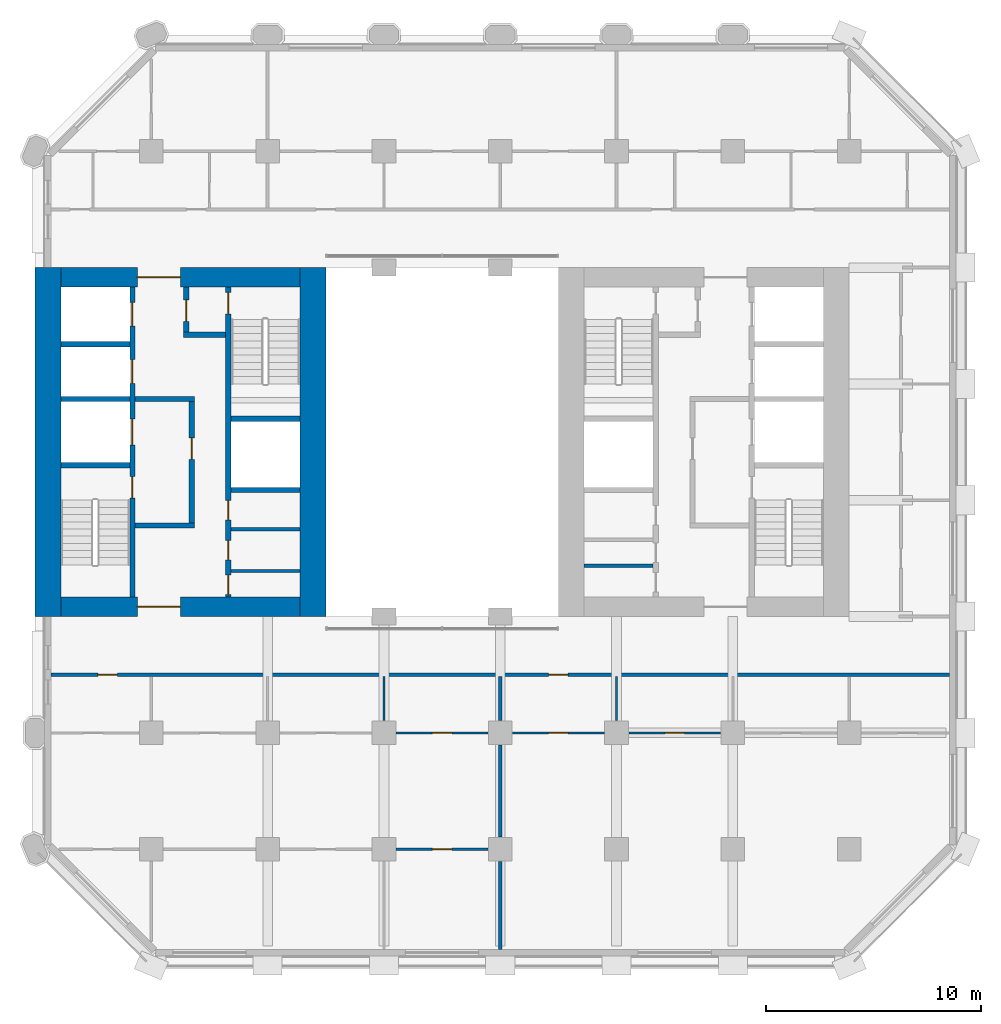
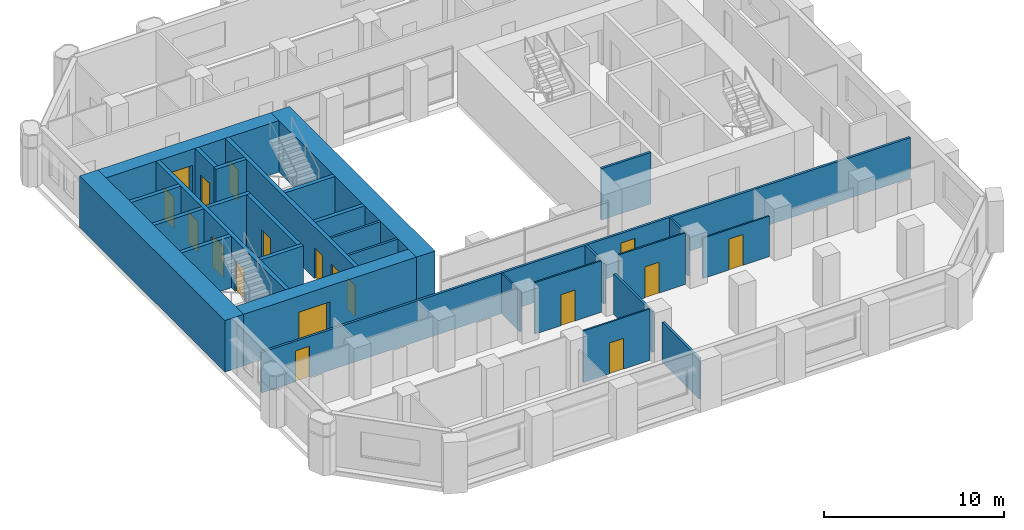
# One storey, part 8 of 13: 29 walls, 18 doors, 18 openings.
"""IFC4 building model written with IfcOpenShell, lengths in metres."""

from ifc_helpers import new_model, si_unit, direction, frame, frame_2d, origin, place, context, subcontext, project, spatial, rectangle, extrude, material, layer, layer_set, type_object, element, fill, save


model = new_model("IFC4")

# Units and contexts
model_context = context("Model", 3, precision=1e-05, world=origin(), true_north=direction((0.0, 1.0)))
body_context = subcontext(model_context, "Body", "Model", "MODEL_VIEW")
ifc_project = project(units=[si_unit("LENGTHUNIT", "METRE"), si_unit("AREAUNIT", "SQUARE_METRE"), si_unit("VOLUMEUNIT", "CUBIC_METRE"), si_unit("PLANEANGLEUNIT", "RADIAN"), si_unit("MASSUNIT", "GRAM", prefix="KILO")], contexts=[model_context])

# Site, building, storey
site_placement = place(None, origin())
site = spatial("IfcSite", under=ifc_project, at=site_placement, CompositionType="ELEMENT")
building_placement = place(site_placement, origin())
building = spatial("IfcBuilding", under=site, at=building_placement, Name="Tabaq Tower and Sports Hall", CompositionType="ELEMENT")
storey_placement = place(building_placement, frame((0.0, 0.0, 48.800048828125)))
storey = spatial("IfcBuildingStorey", under=building, at=storey_placement, Name="L10", CompositionType="ELEMENT", Elevation=48.800048828125)

# Walls
ifc_material_1 = material(Name="Blockwork", Category="masonry")
ifc_layer_1 = layer(ifc_material_1, 0.14990234375)
ifc_layer_set_1 = layer_set([ifc_layer_1], Name="Core room partition 150 Blockwork")
wall_type_1 = type_object("IfcWallType", Name="Core room partition 150 Blockwork", PredefinedType="PARTITIONING", material=ifc_layer_set_1)
for number, where, z_axis, x_axis, name in (
    (1, (14.5, 18.31201171875, 0.0), (0.0, 0.0, 1.0), (1.0, 0.0, 0.0), "Core room partition W L10"),
    (2, (14.5, 20.251953125, 0.0), (0.0, 0.0, 1.0), (1.0, 0.0, 0.0), "Core room partition W L10"),
):
    element("IfcWall", number, at=place(storey_placement, frame(where, z_axis=z_axis, x_axis=x_axis)), inside=storey, type_object=wall_type_1, Name=name, PredefinedType="PARTITIONING", context=body_context, shape_type="SweptSolid", body=[
        extrude(rectangle(XDim=3.199951171875, YDim=0.14990234375, at=frame_2d((1.60009765625, 0.0))), origin(), (0.0, 0.0, 1.0), 3.5),
    ])
wall_1_placement = place(storey_placement, frame((30.89990234375, 18.554931640625, 0.0), z_axis=(0.0, 0.0, 1.0), x_axis=(1.0, 0.0, 0.0)))
element("IfcWall", 3, at=wall_1_placement, inside=storey, type_object=wall_type_1, Name="Core room partition E L10", PredefinedType="PARTITIONING", context=body_context, shape_type="SweptSolid", body=[
    extrude(rectangle(XDim=3.2001953125, YDim=0.14990234375, at=frame_2d((1.60009765625, 0.0))), origin(), (0.0, 0.0, 1.0), 3.5),
])
ifc_material_2 = material(Name="Concrete C60/75", Category="concrete")
ifc_layer_2 = layer(ifc_material_2, 1.199951171875)
ifc_layer_set_2 = layer_set([ifc_layer_2], Name="Core wall 1200 Concrete C60/75")
wall_type_2 = type_object("IfcWallType", Name="Core wall 1200 Concrete C60/75", PredefinedType="SOLIDWALL", material=ifc_layer_set_2)
for number, where, z_axis, x_axis, name in (
    (4, (6.0, 16.199951171875, 0.0), (0.0, 0.0, 1.0), (0.0, 1.0, 0.0), "Core wall W L10"),
    (5, (18.300048828125, 32.39990234375, 0.0), (0.0, 0.0, 1.0), (0.0, -1.0, 0.0), "Core wall W L10"),
):
    element("IfcWall", number, at=place(storey_placement, frame(where, z_axis=z_axis, x_axis=x_axis)), inside=storey, type_object=wall_type_2, Name=name, PredefinedType="SOLIDWALL", context=body_context, shape_type="SweptSolid", body=[
        extrude(rectangle(XDim=16.199951171875, YDim=1.199951171875, at=frame_2d((8.10009765625, 0.0))), origin(), (0.0, 0.0, 1.0), 3.5),
    ])

# Wall, opening, door
ifc_material_3 = material(Name="Concrete C60/75", Category="concrete")
ifc_layer_3 = layer(ifc_material_3, 0.89990234375)
ifc_layer_set_3 = layer_set([ifc_layer_3], Name="Core wall 900 Concrete C60/75")
wall_type_3 = type_object("IfcWallType", Name="Core wall 900 Concrete C60/75", PredefinedType="SOLIDWALL", material=ifc_layer_set_3)
wall_2_placement = place(storey_placement, frame((17.699951171875, 16.64990234375, 0.0), z_axis=(0.0, 0.0, 1.0), x_axis=(-1.0, 0.0, 0.0)))
wall_2 = element("IfcWall", 6, at=wall_2_placement, inside=storey, type_object=wall_type_3, Name="Core wall W L10", PredefinedType="SOLIDWALL", context=body_context, shape_type="SweptSolid", body=[
    extrude(rectangle(XDim=11.099853515625, YDim=0.89990234375, at=frame_2d((5.5498046875, 0.0))), origin(), (0.0, 0.0, 1.0), 3.5),
])
opening_1_placement = place(wall_2_placement, frame((5.550048828125, 0.0, 0.0)))
opening_1 = element("IfcOpeningElement", 7, at=opening_1_placement, cuts=wall_2, Name="Opening PD-WL10-01", PredefinedType="OPENING", context=body_context, shape_type="SweptSolid", body=[
    extrude(rectangle(XDim=2.0, YDim=2.39990234375, at=frame_2d((1.0, 1.199951171875))), frame((0.0, 0.449951171875, 0.0), z_axis=(0.0, -1.0, 0.0), x_axis=(1.0, 0.0, 0.0)), (0.0, 0.0, 1.0), 0.89990234375),
])
ifc_material_4 = material(Name="Steel fire door", Category="steel")
door_type_1 = type_object("IfcDoorType", Name="Core entrance door 2000", OperationType="DOUBLE_DOOR_SINGLE_SWING", PredefinedType="DOOR", material=ifc_material_4)
door_1_placement = place(opening_1_placement, origin())
door_1 = element("IfcDoor", 8, at=door_1_placement, inside=storey, type_object=door_type_1, Name="Core entrance south W L10", OperationType="DOUBLE_DOOR_SINGLE_SWING", OverallHeight=2.39990234375, OverallWidth=2.0, PredefinedType="DOOR", context=body_context, shape_type="SweptSolid", body=[
    extrude(rectangle(XDim=2.0, YDim=2.39990234375, at=frame_2d((1.0, 1.199951171875))), frame((0.0, 0.02490234375, 0.0), z_axis=(0.0, -1.0, 0.0), x_axis=(1.0, 0.0, 0.0)), (0.0, 0.0, 1.0), 0.050048828125),
])
fill(opening_1, door_1)

wall_3_placement = place(storey_placement, frame((6.60009765625, 31.949951171875, 0.0), z_axis=(0.0, 0.0, 1.0), x_axis=(1.0, 0.0, 0.0)))
wall_3 = element("IfcWall", 9, at=wall_3_placement, inside=storey, type_object=wall_type_3, Name="Core wall W L10", PredefinedType="SOLIDWALL", context=body_context, shape_type="SweptSolid", body=[
    extrude(rectangle(XDim=11.099853515625, YDim=0.89990234375, at=frame_2d((5.5498046875, 0.0))), origin(), (0.0, 0.0, 1.0), 3.5),
])
opening_2_placement = place(wall_3_placement, frame((3.550048828125, 0.0, 0.0)))
opening_2 = element("IfcOpeningElement", 10, at=opening_2_placement, cuts=wall_3, Name="Opening PD-WL10-02", PredefinedType="OPENING", context=body_context, shape_type="SweptSolid", body=[
    extrude(rectangle(XDim=2.0, YDim=2.39990234375, at=frame_2d((1.0, 1.199951171875))), frame((0.0, 0.449951171875, 0.0), z_axis=(0.0, -1.0, 0.0), x_axis=(1.0, 0.0, 0.0)), (0.0, 0.0, 1.0), 0.89990234375),
])
door_2_placement = place(opening_2_placement, origin())
door_2 = element("IfcDoor", 11, at=door_2_placement, inside=storey, type_object=door_type_1, Name="Core entrance north W L10", OperationType="DOUBLE_DOOR_SINGLE_SWING", OverallHeight=2.39990234375, OverallWidth=2.0, PredefinedType="DOOR", context=body_context, shape_type="SweptSolid", body=[
    extrude(rectangle(XDim=2.0, YDim=2.39990234375, at=frame_2d((1.0, 1.199951171875))), frame((0.0, 0.02490234375, 0.0), z_axis=(0.0, -1.0, 0.0), x_axis=(1.0, 0.0, 0.0)), (0.0, 0.0, 1.0), 0.050048828125),
])
fill(opening_2, door_2)

# Wall
ifc_material_5 = material(Name="Gypsum board on steel studs", Category="steel")
ifc_layer_4 = layer(ifc_material_5, 0.10009765625)
ifc_layer_set_4 = layer_set([ifc_layer_4], Name="Partition 100 Gypsum board")
wall_type_4 = type_object("IfcWallType", Name="Partition 100 Gypsum board", PredefinedType="PARTITIONING", material=ifc_layer_set_4)
wall_4_placement = place(storey_placement, frame((21.60009765625, 11.3701171875, 0.0), z_axis=(0.0, 0.0, 1.0), x_axis=(0.0, 1.0, 0.0)))
element("IfcWall", 12, at=wall_4_placement, inside=storey, type_object=wall_type_4, Name="Partition wall L10", PredefinedType="PARTITIONING", context=body_context, shape_type="SweptSolid", body=[
    extrude(rectangle(XDim=2.054931640625, YDim=0.10009765625, at=frame_2d((1.02734375, 0.0))), origin(), (0.0, 0.0, 1.0), 2.75),
])

# Wall, opening, door
wall_5_placement = place(storey_placement, frame((22.169921875, 10.800048828125, 0.0), z_axis=(0.0, 0.0, 1.0), x_axis=(1.0, 0.0, 0.0)))
wall_5 = element("IfcWall", 13, at=wall_5_placement, inside=storey, type_object=wall_type_4, Name="Partition wall L10", PredefinedType="PARTITIONING", context=body_context, shape_type="SweptSolid", body=[
    extrude(rectangle(XDim=4.260009765625, YDim=0.10009765625, at=frame_2d((2.1298828125, 0.0))), origin(), (0.0, 0.0, 1.0), 3.5),
])
opening_3_placement = place(wall_5_placement, frame((1.679931640625, 0.0, 0.0)))
opening_3 = element("IfcOpeningElement", 14, at=opening_3_placement, cuts=wall_5, Name="Opening L10-015", PredefinedType="OPENING", context=body_context, shape_type="SweptSolid", body=[
    extrude(rectangle(XDim=0.89990234375, YDim=2.10009765625, at=frame_2d((0.449951171875, 1.050048828125))), frame((0.0, 0.050048828125, 0.0), z_axis=(0.0, -1.0, 0.0), x_axis=(1.0, 0.0, 0.0)), (0.0, 0.0, 1.0), 0.10009765625),
])
ifc_material_6 = material(Name="Timber leaf in steel frame", Category="steel")
door_type_2 = type_object("IfcDoorType", Name="Internal door 900 left hand", OperationType="SINGLE_SWING_LEFT", PredefinedType="DOOR", material=ifc_material_6)
door_3_placement = place(opening_3_placement, origin())
door_3 = element("IfcDoor", 15, at=door_3_placement, inside=storey, type_object=door_type_2, Name="Internal door L10-015", OperationType="SINGLE_SWING_LEFT", OverallHeight=2.10009765625, OverallWidth=0.89990234375, PredefinedType="DOOR", context=body_context, shape_type="SweptSolid", body=[
    extrude(rectangle(XDim=0.89990234375, YDim=2.10009765625, at=frame_2d((0.449951171875, 1.050048828125))), frame((0.0, 0.02490234375, 0.0), z_axis=(0.0, -1.0, 0.0), x_axis=(1.0, 0.0, 0.0)), (0.0, 0.0, 1.0), 0.050048828125),
])
fill(opening_3, door_3)

wall_6_placement = place(storey_placement, frame((22.169921875, 5.39990234375, 0.0), z_axis=(0.0, 0.0, 1.0), x_axis=(1.0, 0.0, 0.0)))
wall_6 = element("IfcWall", 16, at=wall_6_placement, inside=storey, type_object=wall_type_4, Name="Partition wall L10", PredefinedType="PARTITIONING", context=body_context, shape_type="SweptSolid", body=[
    extrude(rectangle(XDim=4.260009765625, YDim=0.10009765625, at=frame_2d((2.1298828125, 0.0))), origin(), (0.0, 0.0, 1.0), 3.5),
])
opening_4_placement = place(wall_6_placement, frame((1.679931640625, 0.0, 0.0)))
opening_4 = element("IfcOpeningElement", 17, at=opening_4_placement, cuts=wall_6, Name="Opening L10-018", PredefinedType="OPENING", context=body_context, shape_type="SweptSolid", body=[
    extrude(rectangle(XDim=0.89990234375, YDim=2.10009765625, at=frame_2d((0.449951171875, 1.050048828125))), frame((0.0, 0.050048828125, 0.0), z_axis=(0.0, -1.0, 0.0), x_axis=(1.0, 0.0, 0.0)), (0.0, 0.0, 1.0), 0.10009765625),
])
ifc_material_7 = material(Name="Timber leaf in steel frame", Category="steel")
door_type_3 = type_object("IfcDoorType", Name="Internal door 900 right hand", OperationType="SINGLE_SWING_RIGHT", PredefinedType="DOOR", material=ifc_material_7)
door_4_placement = place(opening_4_placement, origin())
door_4 = element("IfcDoor", 18, at=door_4_placement, inside=storey, type_object=door_type_3, Name="Internal door L10-018", OperationType="SINGLE_SWING_RIGHT", OverallHeight=2.10009765625, OverallWidth=0.89990234375, PredefinedType="DOOR", context=body_context, shape_type="SweptSolid", body=[
    extrude(rectangle(XDim=0.89990234375, YDim=2.10009765625, at=frame_2d((0.449951171875, 1.050048828125))), frame((0.0, 0.02490234375, 0.0), z_axis=(0.0, -1.0, 0.0), x_axis=(1.0, 0.0, 0.0)), (0.0, 0.0, 1.0), 0.050048828125),
])
fill(opening_4, door_4)

wall_7_placement = place(storey_placement, frame((27.570068359375, 10.800048828125, 0.0), z_axis=(0.0, 0.0, 1.0), x_axis=(1.0, 0.0, 0.0)))
wall_7 = element("IfcWall", 19, at=wall_7_placement, inside=storey, type_object=wall_type_4, Name="Partition wall L10", PredefinedType="PARTITIONING", context=body_context, shape_type="SweptSolid", body=[
    extrude(rectangle(XDim=4.260009765625, YDim=0.10009765625, at=frame_2d((2.1298828125, 0.0))), origin(), (0.0, 0.0, 1.0), 3.5),
])
opening_5_placement = place(wall_7_placement, frame((1.679931640625, 0.0, 0.0)))
opening_5 = element("IfcOpeningElement", 20, at=opening_5_placement, cuts=wall_7, Name="Opening L10-028", PredefinedType="OPENING", context=body_context, shape_type="SweptSolid", body=[
    extrude(rectangle(XDim=0.89990234375, YDim=2.10009765625, at=frame_2d((0.449951171875, 1.050048828125))), frame((0.0, 0.050048828125, 0.0), z_axis=(0.0, -1.0, 0.0), x_axis=(1.0, 0.0, 0.0)), (0.0, 0.0, 1.0), 0.10009765625),
])
door_5_placement = place(opening_5_placement, origin())
door_5 = element("IfcDoor", 21, at=door_5_placement, inside=storey, type_object=door_type_2, Name="Internal door L10-028", OperationType="SINGLE_SWING_LEFT", OverallHeight=2.10009765625, OverallWidth=0.89990234375, PredefinedType="DOOR", context=body_context, shape_type="SweptSolid", body=[
    extrude(rectangle(XDim=0.89990234375, YDim=2.10009765625, at=frame_2d((0.449951171875, 1.050048828125))), frame((0.0, 0.02490234375, 0.0), z_axis=(0.0, -1.0, 0.0), x_axis=(1.0, 0.0, 0.0)), (0.0, 0.0, 1.0), 0.050048828125),
])
fill(opening_5, door_5)

# Wall
wall_8_placement = place(storey_placement, frame((32.39990234375, 11.3701171875, 0.0), z_axis=(0.0, 0.0, 1.0), x_axis=(0.0, 1.0, 0.0)))
element("IfcWall", 22, at=wall_8_placement, inside=storey, type_object=wall_type_4, Name="Partition wall L10", PredefinedType="PARTITIONING", context=body_context, shape_type="SweptSolid", body=[
    extrude(rectangle(XDim=2.054931640625, YDim=0.10009765625, at=frame_2d((1.02734375, 0.0))), origin(), (0.0, 0.0, 1.0), 2.75),
])

# Wall, opening, door
wall_9_placement = place(storey_placement, frame((32.969970703125, 10.800048828125, 0.0), z_axis=(0.0, 0.0, 1.0), x_axis=(1.0, 0.0, 0.0)))
wall_9 = element("IfcWall", 23, at=wall_9_placement, inside=storey, type_object=wall_type_4, Name="Partition wall L10", PredefinedType="PARTITIONING", context=body_context, shape_type="SweptSolid", body=[
    extrude(rectangle(XDim=4.260009765625, YDim=0.10009765625, at=frame_2d((2.1298828125, 0.0))), origin(), (0.0, 0.0, 1.0), 2.75),
])
opening_6_placement = place(wall_9_placement, frame((1.679931640625, 0.0, 0.0)))
opening_6 = element("IfcOpeningElement", 24, at=opening_6_placement, cuts=wall_9, Name="Opening L10-019", PredefinedType="OPENING", context=body_context, shape_type="SweptSolid", body=[
    extrude(rectangle(XDim=0.89990234375, YDim=2.10009765625, at=frame_2d((0.449951171875, 1.050048828125))), frame((0.0, 0.050048828125, 0.0), z_axis=(0.0, -1.0, 0.0), x_axis=(1.0, 0.0, 0.0)), (0.0, 0.0, 1.0), 0.10009765625),
])
door_6_placement = place(opening_6_placement, origin())
door_6 = element("IfcDoor", 25, at=door_6_placement, inside=storey, type_object=door_type_3, Name="Internal door L10-019", OperationType="SINGLE_SWING_RIGHT", OverallHeight=2.10009765625, OverallWidth=0.89990234375, PredefinedType="DOOR", context=body_context, shape_type="SweptSolid", body=[
    extrude(rectangle(XDim=0.89990234375, YDim=2.10009765625, at=frame_2d((0.449951171875, 1.050048828125))), frame((0.0, 0.02490234375, 0.0), z_axis=(0.0, -1.0, 0.0), x_axis=(1.0, 0.0, 0.0)), (0.0, 0.0, 1.0), 0.050048828125),
])
fill(opening_6, door_6)

# Wall, openings, doors
ifc_material_8 = material(Name="Blockwork", Category="masonry")
ifc_layer_5 = layer(ifc_material_8, 0.14990234375)
ifc_layer_set_5 = layer_set([ifc_layer_5], Name="Separating wall 150 Blockwork")
wall_type_5 = type_object("IfcWallType", Name="Separating wall 150 Blockwork", PredefinedType="PARTITIONING", material=ifc_layer_set_5)
wall_10_placement = place(storey_placement, frame((6.15087890625, 13.5, 0.0), z_axis=(0.0, 0.0, 1.0), x_axis=(1.0, 0.0, 0.0)))
wall_10 = element("IfcWall", 26, at=wall_10_placement, inside=storey, type_object=wall_type_5, Name="Separating wall L10", PredefinedType="PARTITIONING", context=body_context, shape_type="SweptSolid", body=[
    extrude(rectangle(XDim=41.6982421875, YDim=0.14990234375, at=frame_2d((20.84912109375, 0.0))), origin(), (0.0, 0.0, 1.0), 2.75),
])
opening_7_placement = place(wall_10_placement, frame((2.174072265625, 0.0, 0.0)))
opening_7 = element("IfcOpeningElement", 27, at=opening_7_placement, cuts=wall_10, Name="Opening L10-023", PredefinedType="OPENING", context=body_context, shape_type="SweptSolid", body=[
    extrude(rectangle(XDim=0.89990234375, YDim=2.10009765625, at=frame_2d((0.449951171875, 1.050048828125))), frame((0.0, 0.074951171875, 0.0), z_axis=(0.0, -1.0, 0.0), x_axis=(1.0, 0.0, 0.0)), (0.0, 0.0, 1.0), 0.14990234375),
])
opening_8_placement = place(wall_10_placement, frame((23.09912109375, 0.0, 0.0)))
opening_8 = element("IfcOpeningElement", 28, at=opening_8_placement, cuts=wall_10, Name="Opening L10-024", PredefinedType="OPENING", context=body_context, shape_type="SweptSolid", body=[
    extrude(rectangle(XDim=0.89990234375, YDim=2.10009765625, at=frame_2d((0.449951171875, 1.050048828125))), frame((0.0, 0.074951171875, 0.0), z_axis=(0.0, -1.0, 0.0), x_axis=(1.0, 0.0, 0.0)), (0.0, 0.0, 1.0), 0.14990234375),
])
ifc_material_9 = material(Name="Steel fire door", Category="steel")
door_type_4 = type_object("IfcDoorType", Name="Entrance door 900 right hand", OperationType="SINGLE_SWING_RIGHT", PredefinedType="DOOR", material=ifc_material_9)
door_7_placement = place(opening_7_placement, origin())
door_7 = element("IfcDoor", 29, at=door_7_placement, inside=storey, type_object=door_type_4, Name="Entrance door L10-023", OperationType="SINGLE_SWING_RIGHT", OverallHeight=2.10009765625, OverallWidth=0.89990234375, PredefinedType="DOOR", context=body_context, shape_type="SweptSolid", body=[
    extrude(rectangle(XDim=0.89990234375, YDim=2.10009765625, at=frame_2d((0.449951171875, 1.050048828125))), frame((0.0, 0.02490234375, 0.0), z_axis=(0.0, -1.0, 0.0), x_axis=(1.0, 0.0, 0.0)), (0.0, 0.0, 1.0), 0.050048828125),
])
fill(opening_7, door_7)
door_8_placement = place(opening_8_placement, origin())
door_8 = element("IfcDoor", 30, at=door_8_placement, inside=storey, type_object=door_type_4, Name="Entrance door L10-024", OperationType="SINGLE_SWING_RIGHT", OverallHeight=2.10009765625, OverallWidth=0.89990234375, PredefinedType="DOOR", context=body_context, shape_type="SweptSolid", body=[
    extrude(rectangle(XDim=0.89990234375, YDim=2.10009765625, at=frame_2d((0.449951171875, 1.050048828125))), frame((0.0, 0.02490234375, 0.0), z_axis=(0.0, -1.0, 0.0), x_axis=(1.0, 0.0, 0.0)), (0.0, 0.0, 1.0), 0.050048828125),
])
fill(opening_8, door_8)

# Walls
wall_11_placement = place(storey_placement, frame((27.0, 11.3701171875, 0.0), z_axis=(0.0, 0.0, 1.0), x_axis=(0.0, 1.0, 0.0)))
element("IfcWall", 31, at=wall_11_placement, inside=storey, type_object=wall_type_5, Name="Separating wall L10", PredefinedType="PARTITIONING", context=body_context, shape_type="SweptSolid", body=[
    extrude(rectangle(XDim=2.054931640625, YDim=0.14990234375, at=frame_2d((1.02734375, 0.0))), origin(), (0.0, 0.0, 1.0), 2.75),
])
wall_12_placement = place(storey_placement, frame((27.0, 5.969970703125, 0.0), z_axis=(0.0, 0.0, 1.0), x_axis=(0.0, 1.0, 0.0)))
element("IfcWall", 32, at=wall_12_placement, inside=storey, type_object=wall_type_5, Name="Separating wall L10", PredefinedType="PARTITIONING", context=body_context, shape_type="SweptSolid", body=[
    extrude(rectangle(XDim=4.260009765625, YDim=0.14990234375, at=frame_2d((2.1298828125, 0.0))), origin(), (0.0, 0.0, 1.0), 2.75),
])
wall_13_placement = place(storey_placement, frame((27.0, 0.7509765625, 0.0), z_axis=(0.0, 0.0, 1.0), x_axis=(0.0, 1.0, 0.0)))
element("IfcWall", 33, at=wall_13_placement, inside=storey, type_object=wall_type_5, Name="Separating wall L10", PredefinedType="PARTITIONING", context=body_context, shape_type="SweptSolid", body=[
    extrude(rectangle(XDim=4.0791015625, YDim=0.14990234375, at=frame_2d((2.03955078125, 0.0))), origin(), (0.0, 0.0, 1.0), 2.75),
])

# Wall, openings, doors
ifc_material_10 = material(Name="Concrete C40/50", Category="concrete")
ifc_layer_6 = layer(ifc_material_10, 0.25)
ifc_layer_set_6 = layer_set([ifc_layer_6], Name="Shaft and stair wall 250 Concrete C40/50")
wall_type_6 = type_object("IfcWallType", Name="Shaft and stair wall 250 Concrete C40/50", PredefinedType="SOLIDWALL", material=ifc_layer_set_6)
wall_14_placement = place(storey_placement, frame((9.925048828125, 17.10009765625, 0.0), z_axis=(0.0, 0.0, 1.0), x_axis=(0.0, 1.0, 0.0)))
wall_14 = element("IfcWall", 34, at=wall_14_placement, inside=storey, type_object=wall_type_6, Name="Shaft wall W L10", PredefinedType="SOLIDWALL", context=body_context, shape_type="SweptSolid", body=[
    extrude(rectangle(XDim=14.39990234375, YDim=0.25, at=frame_2d((7.199951171875, 0.0))), origin(), (0.0, 0.0, 1.0), 3.5),
])
opening_9_placement = place(wall_14_placement, frame((4.60009765625, 0.0, 0.0)))
opening_9 = element("IfcOpeningElement", 35, at=opening_9_placement, cuts=wall_14, Name="Opening SD-WL10-03", PredefinedType="OPENING", context=body_context, shape_type="SweptSolid", body=[
    extrude(rectangle(XDim=1.0, YDim=2.10009765625, at=frame_2d((0.5, 1.050048828125))), frame((0.0, 0.125, 0.0), z_axis=(0.0, -1.0, 0.0), x_axis=(1.0, 0.0, 0.0)), (0.0, 0.0, 1.0), 0.25),
])
opening_10_placement = place(wall_14_placement, frame((7.0625, 0.0, 0.0)))
opening_10 = element("IfcOpeningElement", 36, at=opening_10_placement, cuts=wall_14, Name="Opening LD-FF1-L10", PredefinedType="OPENING", context=body_context, shape_type="SweptSolid", body=[
    extrude(rectangle(XDim=1.199951171875, YDim=2.10009765625, at=frame_2d((0.60009765625, 1.050048828125))), frame((0.0, 0.125, 0.0), z_axis=(0.0, -1.0, 0.0), x_axis=(1.0, 0.0, 0.0)), (0.0, 0.0, 1.0), 0.25),
])
opening_11_placement = place(wall_14_placement, frame((9.925048828125, 0.0, 0.0)))
opening_11 = element("IfcOpeningElement", 37, at=opening_11_placement, cuts=wall_14, Name="Opening LD-LR1-L10", PredefinedType="OPENING", context=body_context, shape_type="SweptSolid", body=[
    extrude(rectangle(XDim=1.10009765625, YDim=2.10009765625, at=frame_2d((0.550048828125, 1.050048828125))), frame((0.0, 0.125, 0.0), z_axis=(0.0, -1.0, 0.0), x_axis=(1.0, 0.0, 0.0)), (0.0, 0.0, 1.0), 0.25),
])
opening_12_placement = place(wall_14_placement, frame((12.58740234375, 0.0, 0.0)))
opening_12 = element("IfcOpeningElement", 38, at=opening_12_placement, cuts=wall_14, Name="Opening LD-LR2-L10", PredefinedType="OPENING", context=body_context, shape_type="SweptSolid", body=[
    extrude(rectangle(XDim=1.10009765625, YDim=2.10009765625, at=frame_2d((0.550048828125, 1.050048828125))), frame((0.0, 0.125, 0.0), z_axis=(0.0, -1.0, 0.0), x_axis=(1.0, 0.0, 0.0)), (0.0, 0.0, 1.0), 0.25),
])
ifc_material_11 = material(Name="Stainless steel", Category="steel")
door_type_5 = type_object("IfcDoorType", Name="Lift landing door 1100", OperationType="DOUBLE_DOOR_SLIDING", PredefinedType="DOOR", material=ifc_material_11)
door_9_placement = place(opening_11_placement, origin())
door_9 = element("IfcDoor", 39, at=door_9_placement, inside=storey, type_object=door_type_5, Name="Lift landing door LR1 W L10", OperationType="DOUBLE_DOOR_SLIDING", OverallHeight=2.10009765625, OverallWidth=1.10009765625, PredefinedType="DOOR", context=body_context, shape_type="SweptSolid", body=[
    extrude(rectangle(XDim=1.10009765625, YDim=2.10009765625, at=frame_2d((0.550048828125, 1.050048828125))), frame((0.0, 0.02490234375, 0.0), z_axis=(0.0, -1.0, 0.0), x_axis=(1.0, 0.0, 0.0)), (0.0, 0.0, 1.0), 0.050048828125),
])
fill(opening_11, door_9)
door_10_placement = place(opening_12_placement, origin())
door_10 = element("IfcDoor", 40, at=door_10_placement, inside=storey, type_object=door_type_5, Name="Lift landing door LR2 W L10", OperationType="DOUBLE_DOOR_SLIDING", OverallHeight=2.10009765625, OverallWidth=1.10009765625, PredefinedType="DOOR", context=body_context, shape_type="SweptSolid", body=[
    extrude(rectangle(XDim=1.10009765625, YDim=2.10009765625, at=frame_2d((0.550048828125, 1.050048828125))), frame((0.0, 0.02490234375, 0.0), z_axis=(0.0, -1.0, 0.0), x_axis=(1.0, 0.0, 0.0)), (0.0, 0.0, 1.0), 0.050048828125),
])
fill(opening_12, door_10)
ifc_material_12 = material(Name="Stainless steel", Category="steel")
door_type_6 = type_object("IfcDoorType", Name="Lift landing door 1200", OperationType="DOUBLE_DOOR_SLIDING", PredefinedType="DOOR", material=ifc_material_12)
door_11_placement = place(opening_10_placement, origin())
door_11 = element("IfcDoor", 41, at=door_11_placement, inside=storey, type_object=door_type_6, Name="Lift landing door FF1 W L10", OperationType="DOUBLE_DOOR_SLIDING", OverallHeight=2.10009765625, OverallWidth=1.199951171875, PredefinedType="DOOR", context=body_context, shape_type="SweptSolid", body=[
    extrude(rectangle(XDim=1.199951171875, YDim=2.10009765625, at=frame_2d((0.60009765625, 1.050048828125))), frame((0.0, 0.02490234375, 0.0), z_axis=(0.0, -1.0, 0.0), x_axis=(1.0, 0.0, 0.0)), (0.0, 0.0, 1.0), 0.050048828125),
])
fill(opening_10, door_11)
ifc_material_13 = material(Name="Steel fire door", Category="steel")
door_type_7 = type_object("IfcDoorType", Name="Stair door 1000", OperationType="SINGLE_SWING_LEFT", PredefinedType="DOOR", material=ifc_material_13)
door_12_placement = place(opening_9_placement, origin())
door_12 = element("IfcDoor", 42, at=door_12_placement, inside=storey, type_object=door_type_7, Name="Stair door ST1 W L10", OperationType="SINGLE_SWING_LEFT", OverallHeight=2.10009765625, OverallWidth=1.0, PredefinedType="DOOR", context=body_context, shape_type="SweptSolid", body=[
    extrude(rectangle(XDim=1.0, YDim=2.10009765625, at=frame_2d((0.5, 1.050048828125))), frame((0.0, 0.02490234375, 0.0), z_axis=(0.0, -1.0, 0.0), x_axis=(1.0, 0.0, 0.0)), (0.0, 0.0, 1.0), 0.050048828125),
])
fill(opening_9, door_12)

wall_15_placement = place(storey_placement, frame((14.375, 17.10009765625, 0.0), z_axis=(0.0, 0.0, 1.0), x_axis=(0.0, 1.0, 0.0)))
wall_15 = element("IfcWall", 43, at=wall_15_placement, inside=storey, type_object=wall_type_6, Name="Shaft wall W L10", PredefinedType="SOLIDWALL", context=body_context, shape_type="SweptSolid", body=[
    extrude(rectangle(XDim=14.39990234375, YDim=0.25, at=frame_2d((7.199951171875, 0.0))), origin(), (0.0, 0.0, 1.0), 3.5),
])
opening_13_placement = place(wall_15_placement, frame((13.14990234375, 0.0, 0.0)))
opening_13 = element("IfcOpeningElement", 44, at=opening_13_placement, cuts=wall_15, Name="Opening SD-WL10-05", PredefinedType="OPENING", context=body_context, shape_type="SweptSolid", body=[
    extrude(rectangle(XDim=1.0, YDim=2.10009765625, at=frame_2d((0.5, 1.050048828125))), frame((0.0, 0.125, 0.0), z_axis=(0.0, -1.0, 0.0), x_axis=(1.0, 0.0, 0.0)), (0.0, 0.0, 1.0), 0.25),
])
opening_14_placement = place(wall_15_placement, frame((0.118408203125, 0.0, 0.0)))
opening_14 = element("IfcOpeningElement", 45, at=opening_14_placement, cuts=wall_15, Name="Opening RD-WL10-10", PredefinedType="OPENING", context=body_context, shape_type="SweptSolid", body=[
    extrude(rectangle(XDim=0.89990234375, YDim=2.10009765625, at=frame_2d((0.449951171875, 1.050048828125))), frame((0.0, 0.125, 0.0), z_axis=(0.0, -1.0, 0.0), x_axis=(1.0, 0.0, 0.0)), (0.0, 0.0, 1.0), 0.25),
])
opening_15_placement = place(wall_15_placement, frame((1.73193359375, 0.0, 0.0)))
opening_15 = element("IfcOpeningElement", 46, at=opening_15_placement, cuts=wall_15, Name="Opening RD-WL10-11", PredefinedType="OPENING", context=body_context, shape_type="SweptSolid", body=[
    extrude(rectangle(XDim=0.89990234375, YDim=2.10009765625, at=frame_2d((0.449951171875, 1.050048828125))), frame((0.0, 0.125, 0.0), z_axis=(0.0, -1.0, 0.0), x_axis=(1.0, 0.0, 0.0)), (0.0, 0.0, 1.0), 0.25),
])
opening_16_placement = place(wall_15_placement, frame((3.58837890625, 0.0, 0.0)))
opening_16 = element("IfcOpeningElement", 47, at=opening_16_placement, cuts=wall_15, Name="Opening RD-WL10-12", PredefinedType="OPENING", context=body_context, shape_type="SweptSolid", body=[
    extrude(rectangle(XDim=0.89990234375, YDim=2.10009765625, at=frame_2d((0.449951171875, 1.050048828125))), frame((0.0, 0.125, 0.0), z_axis=(0.0, -1.0, 0.0), x_axis=(1.0, 0.0, 0.0)), (0.0, 0.0, 1.0), 0.25),
])
ifc_material_14 = material(Name="Steel fire door", Category="steel")
door_type_8 = type_object("IfcDoorType", Name="Core room door 900", OperationType="SINGLE_SWING_LEFT", PredefinedType="DOOR", material=ifc_material_14)
door_13_placement = place(opening_14_placement, origin())
door_13 = element("IfcDoor", 48, at=door_13_placement, inside=storey, type_object=door_type_8, Name="Door Electrical Riser Room W L10", OperationType="SINGLE_SWING_LEFT", OverallHeight=2.10009765625, OverallWidth=0.89990234375, PredefinedType="DOOR", context=body_context, shape_type="SweptSolid", body=[
    extrude(rectangle(XDim=0.89990234375, YDim=2.10009765625, at=frame_2d((0.449951171875, 1.050048828125))), frame((0.0, 0.02490234375, 0.0), z_axis=(0.0, -1.0, 0.0), x_axis=(1.0, 0.0, 0.0)), (0.0, 0.0, 1.0), 0.050048828125),
])
fill(opening_14, door_13)
door_14_placement = place(opening_15_placement, origin())
door_14 = element("IfcDoor", 49, at=door_14_placement, inside=storey, type_object=door_type_8, Name="Door Unisex WC W L10", OperationType="SINGLE_SWING_LEFT", OverallHeight=2.10009765625, OverallWidth=0.89990234375, PredefinedType="DOOR", context=body_context, shape_type="SweptSolid", body=[
    extrude(rectangle(XDim=0.89990234375, YDim=2.10009765625, at=frame_2d((0.449951171875, 1.050048828125))), frame((0.0, 0.02490234375, 0.0), z_axis=(0.0, -1.0, 0.0), x_axis=(1.0, 0.0, 0.0)), (0.0, 0.0, 1.0), 0.050048828125),
])
fill(opening_15, door_14)
door_15_placement = place(opening_16_placement, origin())
door_15 = element("IfcDoor", 50, at=door_15_placement, inside=storey, type_object=door_type_8, Name="Door Accessible WC W L10", OperationType="SINGLE_SWING_LEFT", OverallHeight=2.10009765625, OverallWidth=0.89990234375, PredefinedType="DOOR", context=body_context, shape_type="SweptSolid", body=[
    extrude(rectangle(XDim=0.89990234375, YDim=2.10009765625, at=frame_2d((0.449951171875, 1.050048828125))), frame((0.0, 0.02490234375, 0.0), z_axis=(0.0, -1.0, 0.0), x_axis=(1.0, 0.0, 0.0)), (0.0, 0.0, 1.0), 0.050048828125),
])
fill(opening_16, door_15)
door_16_placement = place(opening_13_placement, origin())
door_16 = element("IfcDoor", 51, at=door_16_placement, inside=storey, type_object=door_type_7, Name="Stair door ST2 W L10", OperationType="SINGLE_SWING_LEFT", OverallHeight=2.10009765625, OverallWidth=1.0, PredefinedType="DOOR", context=body_context, shape_type="SweptSolid", body=[
    extrude(rectangle(XDim=1.0, YDim=2.10009765625, at=frame_2d((0.5, 1.050048828125))), frame((0.0, 0.02490234375, 0.0), z_axis=(0.0, -1.0, 0.0), x_axis=(1.0, 0.0, 0.0)), (0.0, 0.0, 1.0), 0.050048828125),
])
fill(opening_13, door_16)

# Walls
for number, where, z_axis, x_axis, name in (
    (52, (6.60009765625, 23.22509765625, 0.0), (0.0, 0.0, 1.0), (1.0, 0.0, 0.0), "Stair enclosure wall W L10"),
    (53, (14.5, 25.375, 0.0), (0.0, 0.0, 1.0), (1.0, 0.0, 0.0), "Stair enclosure wall W L10"),
    (54, (14.5, 22.074951171875, 0.0), (0.0, 0.0, 1.0), (1.0, 0.0, 0.0), "Shaft wall W L10"),
    (55, (6.60009765625, 26.300048828125, 0.0), (0.0, 0.0, 1.0), (1.0, 0.0, 0.0), "Shaft wall W L10"),
):
    element("IfcWall", number, at=place(storey_placement, frame(where, z_axis=z_axis, x_axis=x_axis)), inside=storey, type_object=wall_type_6, Name=name, PredefinedType="SOLIDWALL", context=body_context, shape_type="SweptSolid", body=[
        extrude(rectangle(XDim=3.199951171875, YDim=0.25, at=frame_2d((1.60009765625, 0.0))), origin(), (0.0, 0.0, 1.0), 3.5),
    ])
for number, where, z_axis, x_axis, name in (
    (56, (10.050048828125, 26.300048828125, 0.0), (0.0, 0.0, 1.0), (1.0, 0.0, 0.0), "Fire-fighting lobby wall W L10"),
    (57, (10.050048828125, 20.425048828125, 0.0), (0.0, 0.0, 1.0), (1.0, 0.0, 0.0), "Fire-fighting lobby wall W L10"),
):
    element("IfcWall", number, at=place(storey_placement, frame(where, z_axis=z_axis, x_axis=x_axis)), inside=storey, type_object=wall_type_6, Name=name, PredefinedType="SOLIDWALL", context=body_context, shape_type="SweptSolid", body=[
        extrude(rectangle(XDim=2.75, YDim=0.25, at=frame_2d((1.375, 0.0))), origin(), (0.0, 0.0, 1.0), 3.5),
    ])

# Wall, opening, door
wall_16_placement = place(storey_placement, frame((12.425048828125, 29.39990234375, 0.0), z_axis=(0.0, 0.0, 1.0), x_axis=(0.0, 1.0, 0.0)))
wall_16 = element("IfcWall", 58, at=wall_16_placement, inside=storey, type_object=wall_type_6, Name="Fire-fighting lobby wall W L10", PredefinedType="SOLIDWALL", context=body_context, shape_type="SweptSolid", body=[
    extrude(rectangle(XDim=2.10009765625, YDim=0.25, at=frame_2d((1.050048828125, 0.0))), origin(), (0.0, 0.0, 1.0), 3.5),
])
opening_17_placement = place(wall_16_placement, frame((0.5, 0.0, 0.0)))
opening_17 = element("IfcOpeningElement", 59, at=opening_17_placement, cuts=wall_16, Name="Opening FD-WL10-06", PredefinedType="OPENING", context=body_context, shape_type="SweptSolid", body=[
    extrude(rectangle(XDim=1.0, YDim=2.10009765625, at=frame_2d((0.5, 1.050048828125))), frame((0.0, 0.125, 0.0), z_axis=(0.0, -1.0, 0.0), x_axis=(1.0, 0.0, 0.0)), (0.0, 0.0, 1.0), 0.25),
])
ifc_material_15 = material(Name="Steel fire door", Category="steel")
door_type_9 = type_object("IfcDoorType", Name="Fire-fighting lobby door 1000", OperationType="SINGLE_SWING_LEFT", PredefinedType="DOOR", material=ifc_material_15)
door_17_placement = place(opening_17_placement, origin())
door_17 = element("IfcDoor", 60, at=door_17_placement, inside=storey, type_object=door_type_9, Name="Stair lobby door W L10", OperationType="SINGLE_SWING_LEFT", OverallHeight=2.10009765625, OverallWidth=1.0, PredefinedType="DOOR", context=body_context, shape_type="SweptSolid", body=[
    extrude(rectangle(XDim=1.0, YDim=2.10009765625, at=frame_2d((0.5, 1.050048828125))), frame((0.0, 0.02490234375, 0.0), z_axis=(0.0, -1.0, 0.0), x_axis=(1.0, 0.0, 0.0)), (0.0, 0.0, 1.0), 0.050048828125),
])
fill(opening_17, door_17)

# Wall
wall_17_placement = place(storey_placement, frame((12.300048828125, 29.27490234375, 0.0), z_axis=(0.0, 0.0, 1.0), x_axis=(1.0, 0.0, 0.0)))
element("IfcWall", 61, at=wall_17_placement, inside=storey, type_object=wall_type_6, Name="Fire-fighting lobby wall W L10", PredefinedType="SOLIDWALL", context=body_context, shape_type="SweptSolid", body=[
    extrude(rectangle(XDim=1.949951171875, YDim=0.25, at=frame_2d((0.97509765625, 0.0))), origin(), (0.0, 0.0, 1.0), 3.5),
])

# Wall, opening, door
wall_18_placement = place(storey_placement, frame((12.675048828125, 20.550048828125, 0.0), z_axis=(0.0, 0.0, 1.0), x_axis=(0.0, 1.0, 0.0)))
wall_18 = element("IfcWall", 62, at=wall_18_placement, inside=storey, type_object=wall_type_6, Name="Fire-fighting lobby wall W L10", PredefinedType="SOLIDWALL", context=body_context, shape_type="SweptSolid", body=[
    extrude(rectangle(XDim=5.625, YDim=0.25, at=frame_2d((2.8125, 0.0))), origin(), (0.0, 0.0, 1.0), 3.5),
])
opening_18_placement = place(wall_18_placement, frame((2.949951171875, 0.0, 0.0)))
opening_18 = element("IfcOpeningElement", 63, at=opening_18_placement, cuts=wall_18, Name="Opening FD-WL10-04", PredefinedType="OPENING", context=body_context, shape_type="SweptSolid", body=[
    extrude(rectangle(XDim=1.0, YDim=2.10009765625, at=frame_2d((0.5, 1.050048828125))), frame((0.0, 0.125, 0.0), z_axis=(0.0, -1.0, 0.0), x_axis=(1.0, 0.0, 0.0)), (0.0, 0.0, 1.0), 0.25),
])
door_18_placement = place(opening_18_placement, origin())
door_18 = element("IfcDoor", 64, at=door_18_placement, inside=storey, type_object=door_type_9, Name="Fire-fighting lobby door W L10", OperationType="SINGLE_SWING_LEFT", OverallHeight=2.10009765625, OverallWidth=1.0, PredefinedType="DOOR", context=body_context, shape_type="SweptSolid", body=[
    extrude(rectangle(XDim=1.0, YDim=2.10009765625, at=frame_2d((0.5, 1.050048828125))), frame((0.0, 0.02490234375, 0.0), z_axis=(0.0, -1.0, 0.0), x_axis=(1.0, 0.0, 0.0)), (0.0, 0.0, 1.0), 0.050048828125),
])
fill(opening_18, door_18)

# Wall
wall_19_placement = place(storey_placement, frame((6.60009765625, 28.85009765625, 0.0), z_axis=(0.0, 0.0, 1.0), x_axis=(1.0, 0.0, 0.0)))
element("IfcWall", 65, at=wall_19_placement, inside=storey, type_object=wall_type_6, Name="Shaft wall W L10", PredefinedType="SOLIDWALL", context=body_context, shape_type="SweptSolid", body=[
    extrude(rectangle(XDim=3.199951171875, YDim=0.25, at=frame_2d((1.60009765625, 0.0))), origin(), (0.0, 0.0, 1.0), 3.5),
])

save(model, "model.ifc")
